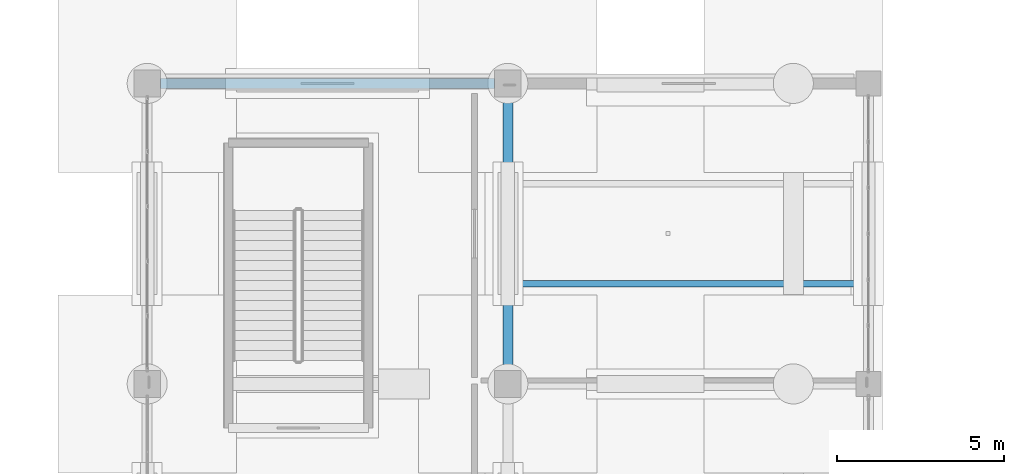
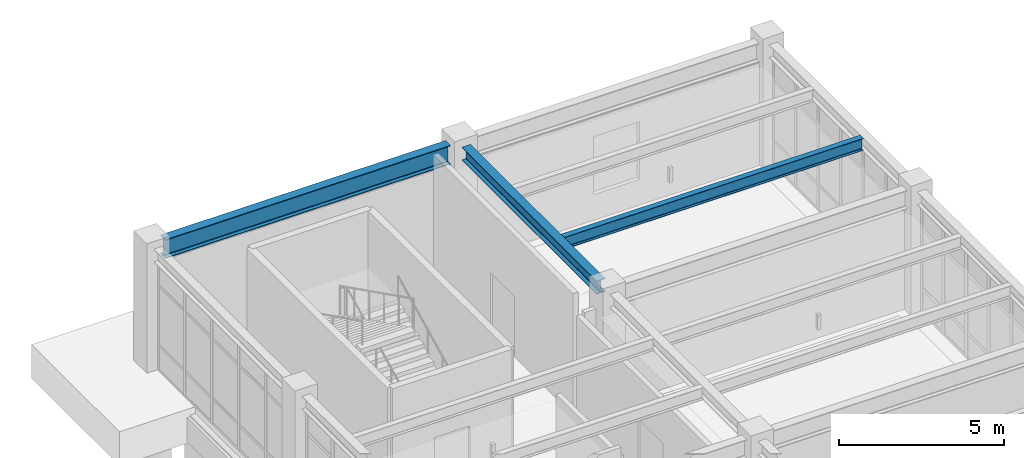
# One storey, part 49 of 98: 3 beams.
"""IFC4 building model written with IfcOpenShell, lengths in metres."""

from ifc_helpers import new_model, si_unit, direction, frame, origin, origin_2d, place, context, subcontext, project, spatial, i_section, extrude, material, material_profile, profile_set, type_object, element, save


model = new_model("IFC4")

# Units and contexts
model_context = context("Model", 3, precision=1e-05, world=origin(), true_north=direction((0.0, 1.0)))
body_context = subcontext(model_context, "Body", "Model", "MODEL_VIEW")
ifc_project = project(units=[si_unit("LENGTHUNIT", "METRE"), si_unit("AREAUNIT", "SQUARE_METRE"), si_unit("VOLUMEUNIT", "CUBIC_METRE"), si_unit("PLANEANGLEUNIT", "RADIAN"), si_unit("MASSUNIT", "GRAM", prefix="KILO")], contexts=[model_context])

# Site, building, storey
site_placement = place(None, origin())
site = spatial("IfcSite", under=ifc_project, at=site_placement, CompositionType="ELEMENT")
building_placement = place(site_placement, origin())
building = spatial("IfcBuilding", under=site, at=building_placement, Name="Canglan Escarpment Cableway Terminal", CompositionType="ELEMENT")
storey_placement = place(building_placement, frame((0.0, 0.0, 9.60009765625)))
storey = spatial("IfcBuildingStorey", under=building, at=storey_placement, Name="L02", CompositionType="ELEMENT", Elevation=9.60009765625)

# Beams
ifc_material_1 = material(Name="Steel Q355B", Category="steel")
ifc_material_profile_1 = material_profile(ifc_material_1, i_section(OverallWidth=0.300048828125, OverallDepth=0.488037109375, WebThickness=0.010986328125, FlangeThickness=0.01806640625, FilletRadius=0.02587890625, at=origin_2d()), Name="HM 488x300x11x18")
ifc_profile_set_1 = profile_set([ifc_material_profile_1], Name="Steel Q355B")
beam_type_1 = type_object("IfcBeamType", Name="BM-HM488", PredefinedType="BEAM", material=ifc_profile_set_1)
beam_1_placement = place(storey_placement, frame((125.89990234375, 70.39990234375, 4.27587890625), z_axis=(0.0, 1.0, 0.0), x_axis=(-1.0, 0.0, 0.0)))
element("IfcBeam", 1, at=beam_1_placement, inside=storey, type_object=beam_type_1, Name="Primary transverse girder B-09", PredefinedType="BEAM", context=body_context, shape_type="SweptSolid", body=[
    extrude(i_section(OverallWidth=0.300048828125, OverallDepth=0.488037109375, WebThickness=0.010986328125, FlangeThickness=0.01806640625, FilletRadius=0.02587890625, at=origin_2d()), origin(), (0.0, 0.0, 1.0), 8.2001953125),
])
ifc_material_2 = material(Name="Steel Q355C", Category="steel")
ifc_material_profile_2 = material_profile(ifc_material_2, i_section(OverallWidth=0.300048828125, OverallDepth=0.699951171875, WebThickness=0.012939453125, FlangeThickness=0.02392578125, FilletRadius=0.028076171875, at=origin_2d()), Name="HN 700x300x13x24")
ifc_profile_set_2 = profile_set([ifc_material_profile_2], Name="Steel Q355C")
beam_type_2 = type_object("IfcBeamType", Name="BM-HN700", PredefinedType="BEAM", material=ifc_profile_set_2)
beam_2_placement = place(storey_placement, frame((115.5, 79.0, 4.169921875), z_axis=(1.0, 0.0, 0.0), x_axis=(0.0, 1.0, 0.0)))
element("IfcBeam", 2, at=beam_2_placement, inside=storey, type_object=beam_type_2, Name="Primary structural girder B-06", PredefinedType="BEAM", context=body_context, shape_type="SweptSolid", body=[
    extrude(i_section(OverallWidth=0.300048828125, OverallDepth=0.699951171875, WebThickness=0.012939453125, FlangeThickness=0.02392578125, FilletRadius=0.028076171875, at=origin_2d()), origin(), (0.0, 0.0, 1.0), 10.0),
])
ifc_material_profile_3 = material_profile(ifc_material_1, i_section(OverallWidth=0.199951171875, OverallDepth=0.449951171875, WebThickness=0.009033203125, FlangeThickness=0.013916015625, FilletRadius=0.01806640625, at=origin_2d()), Name="HN 450x200x9x14")
ifc_profile_set_3 = profile_set([ifc_material_profile_3], Name="Steel Q355B")
beam_type_3 = type_object("IfcBeamType", Name="JS-HN450", PredefinedType="JOIST", material=ifc_profile_set_3)
beam_3_placement = place(storey_placement, frame((126.050048828125, 73.0, 4.294921875), z_axis=(1.0, 0.0, 0.0), x_axis=(0.0, 1.0, 0.0)))
element("IfcBeam", 3, at=beam_3_placement, inside=storey, type_object=beam_type_3, Name="Secondary composite deck joist J-02", PredefinedType="JOIST", context=body_context, shape_type="SweptSolid", body=[
    extrude(i_section(OverallWidth=0.199951171875, OverallDepth=0.449951171875, WebThickness=0.009033203125, FlangeThickness=0.013916015625, FilletRadius=0.01806640625, at=origin_2d()), origin(), (0.0, 0.0, 1.0), 10.5),
])

save(model, "model.ifc")
